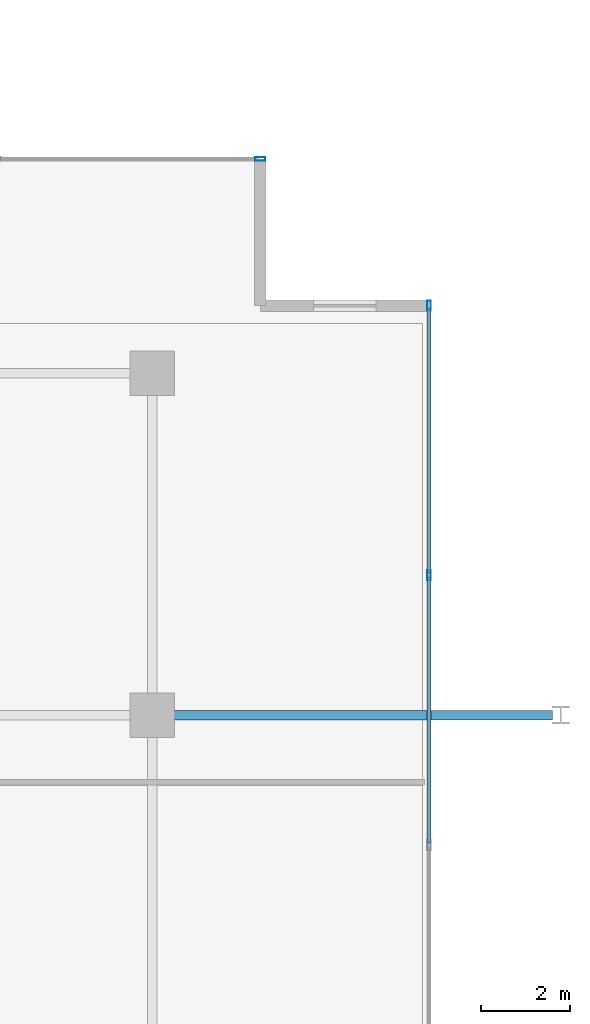
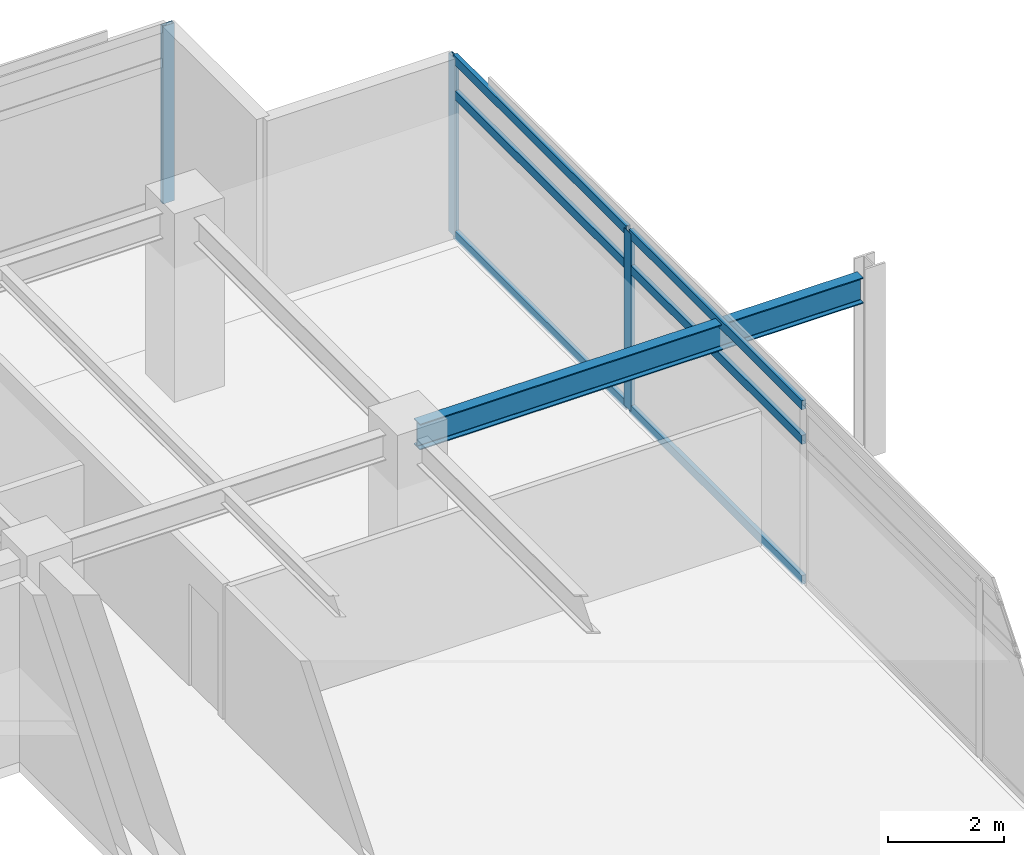
# One storey, part 12 of 21: 9 members, 1 beam, 2 elements without a shape of their own.
"""IFC4 building model written with IfcOpenShell, lengths in metres."""

from ifc_helpers import new_model, si_unit, direction, frame, origin, origin_2d, place, context, subcontext, project, spatial, hollow_rectangle, i_section, extrude, material, material_profile, profile_set, type_object, element, aggregate, save


model = new_model("IFC4")

# Units and contexts
model_context = context("Model", 3, precision=1e-05, world=origin(), true_north=direction((0.0, 1.0)))
body_context = subcontext(model_context, "Body", "Model", "MODEL_VIEW")
ifc_project = project(units=[si_unit("LENGTHUNIT", "METRE"), si_unit("AREAUNIT", "SQUARE_METRE"), si_unit("VOLUMEUNIT", "CUBIC_METRE"), si_unit("PLANEANGLEUNIT", "RADIAN"), si_unit("MASSUNIT", "GRAM", prefix="KILO")], contexts=[model_context])

# Site, building, storey
site_placement = place(None, origin())
site = spatial("IfcSite", under=ifc_project, at=site_placement, CompositionType="ELEMENT")
building_placement = place(site_placement, origin())
building = spatial("IfcBuilding", under=site, at=building_placement, Name="Kovane Verandah Tower", CompositionType="ELEMENT")
storey_placement = place(building_placement, frame((0.0, 0.0, 314.800048828125)))
storey = spatial("IfcBuildingStorey", under=building, at=storey_placement, Name="L73", CompositionType="ELEMENT", Elevation=314.800048828125)

# Beam
ifc_material_1 = material(Name="Steel S355", Category="steel")
ifc_material_profile_1 = material_profile(ifc_material_1, i_section(OverallWidth=0.2119140625, OverallDepth=0.54443359375, WebThickness=0.0126953125, FlangeThickness=0.021240234375, FilletRadius=0.0126953125, at=origin_2d()), Name="UB533x210x122")
ifc_profile_set_1 = profile_set([ifc_material_profile_1], Name="Steel S355")
beam_type = type_object("IfcBeamType", Name="BM-UB533x122", PredefinedType="BEAM", material=ifc_profile_set_1)
beam_placement = place(storey_placement, frame((58.580078125, 36.5, 3.48779296875), z_axis=(1.0, 0.0, 0.0), x_axis=(0.0, 1.0, 0.0)))
element("IfcBeam", 1, at=beam_placement, inside=storey, type_object=beam_type, Name="L73 Primary Tower Girder G-VE2", PredefinedType="BEAM", context=body_context, shape_type="SweptSolid", body=[
    extrude(i_section(OverallWidth=0.2119140625, OverallDepth=0.54443359375, WebThickness=0.0126953125, FlangeThickness=0.021240234375, FilletRadius=0.0126953125, at=origin_2d()), origin(), (0.0, 0.0, 1.0), 8.83984375),
])

# Curtain wall, members
ifc_material_2 = material(Name="Champagne Anodised Aluminium Frame with Low-E Clear Laminated Glass", Category="aluminium")
curtain_wall_type = type_object("IfcCurtainWallType", Name="CW-SYS-05-HIGH", PredefinedType="NOTDEFINED", material=ifc_material_2)
curtain_wall_1_placement = place(storey_placement, origin())
curtain_wall_1 = element("IfcCurtainWall", 2, at=curtain_wall_1_placement, inside=storey, type_object=curtain_wall_type, Name="L73 E Unitised Curtain Wall", PredefinedType="NOTDEFINED")
ifc_material_3 = material(Name="Champagne Anodised Aluminium 6063-T6", Category="aluminium")
ifc_material_profile_2 = material_profile(ifc_material_3, hollow_rectangle(XDim=0.0849609375, YDim=0.22998046875, WallThickness=0.00390625, at=origin_2d()), Name="AL85x230x4")
ifc_profile_set_2 = profile_set([ifc_material_profile_2], Name="Champagne Anodised Aluminium 6063-T6")
member_type_1 = type_object("IfcMemberType", Name="CW-MUL-85x230", PredefinedType="MULLION", material=ifc_profile_set_2)
member_1_placement = place(storey_placement, frame((64.636474609375, 39.6455078125, 0.02001953125), z_axis=(0.0, 0.0, 1.0), x_axis=(1.0, 0.0, 0.0)))
member_1 = element("IfcMember", 3, at=member_1_placement, type_object=member_type_1, Name="L73 E Unitised Curtain Wall Mullion 6", PredefinedType="MULLION", context=body_context, shape_type="SweptSolid", body=[
    extrude(hollow_rectangle(XDim=0.0849609375, YDim=0.22998046875, WallThickness=0.00390625, at=origin_2d()), origin(), (0.0, 0.0, 1.0), 3.744873046875),
])
member_2_placement = place(storey_placement, frame((64.636474609375, 45.71826171875, 0.02001953125), z_axis=(0.0, 0.0, 1.0), x_axis=(1.0, 0.0, 0.0)))
member_2 = element("IfcMember", 4, at=member_2_placement, type_object=member_type_1, Name="L73 E Unitised Curtain Wall Mullion 7", PredefinedType="MULLION", context=body_context, shape_type="SweptSolid", body=[
    extrude(hollow_rectangle(XDim=0.0849609375, YDim=0.22998046875, WallThickness=0.00390625, at=origin_2d()), origin(), (0.0, 0.0, 1.0), 3.744873046875),
])

# Curtain wall, member
curtain_wall_2_placement = place(storey_placement, origin())
curtain_wall_2 = element("IfcCurtainWall", 5, at=curtain_wall_2_placement, inside=storey, type_object=curtain_wall_type, Name="L73 N Unitised Curtain Wall", PredefinedType="NOTDEFINED")
member_3_placement = place(storey_placement, frame((60.83642578125, 49.018310546875, 0.02001953125), z_axis=(0.0, 0.0, 1.0), x_axis=(0.0, 1.0, 0.0)))
member_3 = element("IfcMember", 6, at=member_3_placement, type_object=member_type_1, Name="L73 N Unitised Curtain Wall Mullion 1", PredefinedType="MULLION", context=body_context, shape_type="SweptSolid", body=[
    extrude(hollow_rectangle(XDim=0.0849609375, YDim=0.22998046875, WallThickness=0.00390625, at=origin_2d()), origin(), (0.0, 0.0, 1.0), 3.744873046875),
])
aggregate(curtain_wall_2, [member_3])

# Member
ifc_material_profile_3 = material_profile(ifc_material_3, hollow_rectangle(XDim=0.0849609375, YDim=0.18994140625, WallThickness=0.00390625, at=origin_2d()), Name="AL85x190x4")
ifc_profile_set_3 = profile_set([ifc_material_profile_3], Name="Champagne Anodised Aluminium 6063-T6")
member_type_2 = type_object("IfcMemberType", Name="CW-TRN-85x190", PredefinedType="USERDEFINED", material=ifc_profile_set_3)
member_4_placement = place(storey_placement, frame((64.636474609375, 33.622802734375, 0.050048828125), z_axis=(0.0, 1.0, 0.0), x_axis=(-1.0, 0.0, 0.0)))
member_4 = element("IfcMember", 7, at=member_4_placement, type_object=member_type_2, Name="L73 E Unitised Curtain Wall Transom TB Bay 5", ObjectType="TRANSOM", PredefinedType="USERDEFINED", context=body_context, shape_type="SweptSolid", body=[
    extrude(hollow_rectangle(XDim=0.0849609375, YDim=0.18994140625, WallThickness=0.00390625, at=origin_2d()), origin(), (0.0, 0.0, 1.0), 5.97265625),
])

member_5_placement = place(storey_placement, frame((64.636474609375, 33.622802734375, 3.0048828125), z_axis=(0.0, 1.0, 0.0), x_axis=(-1.0, 0.0, 0.0)))
member_5 = element("IfcMember", 8, at=member_5_placement, type_object=member_type_2, Name="L73 E Unitised Curtain Wall Transom TM Bay 5", ObjectType="TRANSOM", PredefinedType="USERDEFINED", context=body_context, shape_type="SweptSolid", body=[
    extrude(hollow_rectangle(XDim=0.0849609375, YDim=0.18994140625, WallThickness=0.00390625, at=origin_2d()), origin(), (0.0, 0.0, 1.0), 5.97265625),
])

member_6_placement = place(storey_placement, frame((64.636474609375, 33.622802734375, 3.73486328125), z_axis=(0.0, 1.0, 0.0), x_axis=(-1.0, 0.0, 0.0)))
member_6 = element("IfcMember", 9, at=member_6_placement, type_object=member_type_2, Name="L73 E Unitised Curtain Wall Transom TT Bay 5", ObjectType="TRANSOM", PredefinedType="USERDEFINED", context=body_context, shape_type="SweptSolid", body=[
    extrude(hollow_rectangle(XDim=0.0849609375, YDim=0.18994140625, WallThickness=0.00390625, at=origin_2d()), origin(), (0.0, 0.0, 1.0), 5.97265625),
])

member_7_placement = place(storey_placement, frame((64.636474609375, 39.695556640625, 0.050048828125), z_axis=(0.0, 1.0, 0.0), x_axis=(-1.0, 0.0, 0.0)))
member_7 = element("IfcMember", 10, at=member_7_placement, type_object=member_type_2, Name="L73 E Unitised Curtain Wall Transom TB Bay 6", ObjectType="TRANSOM", PredefinedType="USERDEFINED", context=body_context, shape_type="SweptSolid", body=[
    extrude(hollow_rectangle(XDim=0.0849609375, YDim=0.18994140625, WallThickness=0.00390625, at=origin_2d()), origin(), (0.0, 0.0, 1.0), 5.97265625),
])

member_8_placement = place(storey_placement, frame((64.636474609375, 39.695556640625, 3.0048828125), z_axis=(0.0, 1.0, 0.0), x_axis=(-1.0, 0.0, 0.0)))
member_8 = element("IfcMember", 11, at=member_8_placement, type_object=member_type_2, Name="L73 E Unitised Curtain Wall Transom TM Bay 6", ObjectType="TRANSOM", PredefinedType="USERDEFINED", context=body_context, shape_type="SweptSolid", body=[
    extrude(hollow_rectangle(XDim=0.0849609375, YDim=0.18994140625, WallThickness=0.00390625, at=origin_2d()), origin(), (0.0, 0.0, 1.0), 5.97265625),
])

member_9_placement = place(storey_placement, frame((64.636474609375, 39.695556640625, 3.73486328125), z_axis=(0.0, 1.0, 0.0), x_axis=(-1.0, 0.0, 0.0)))
member_9 = element("IfcMember", 12, at=member_9_placement, type_object=member_type_2, Name="L73 E Unitised Curtain Wall Transom TT Bay 6", ObjectType="TRANSOM", PredefinedType="USERDEFINED", context=body_context, shape_type="SweptSolid", body=[
    extrude(hollow_rectangle(XDim=0.0849609375, YDim=0.18994140625, WallThickness=0.00390625, at=origin_2d()), origin(), (0.0, 0.0, 1.0), 5.97265625),
])

aggregate(curtain_wall_1, [member_1, member_2, member_4, member_5, member_6, member_7, member_8, member_9])

save(model, "model.ifc")
